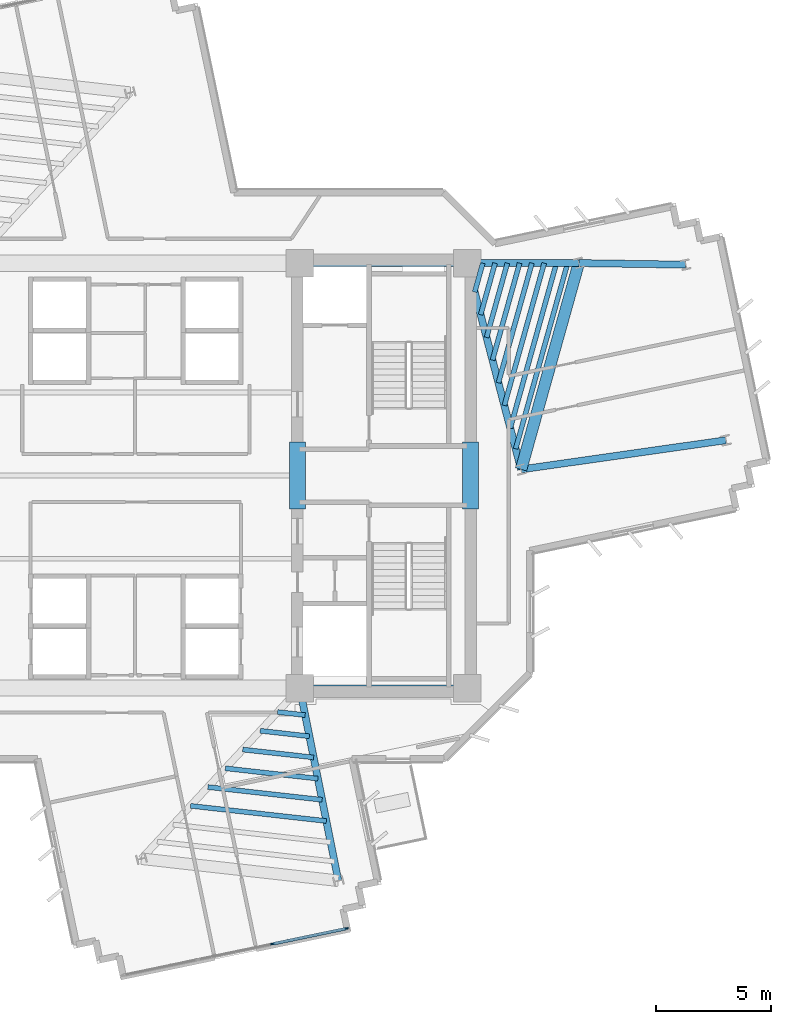
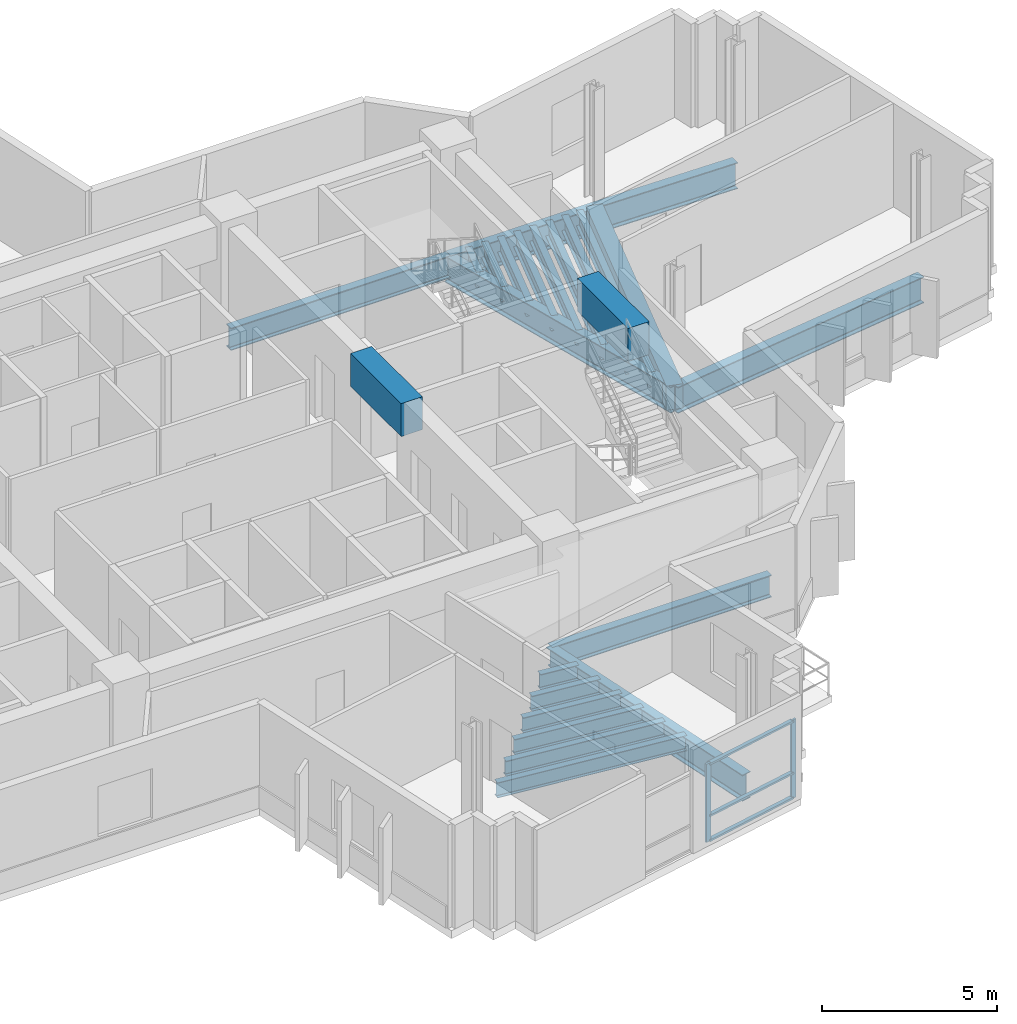
# One storey, part 4 of 14: 24 beams, 5 members, 1 element without a shape of its own.
"""IFC4 building model written with IfcOpenShell, lengths in metres."""

from ifc_helpers import new_model, si_unit, direction, frame, origin, origin_2d, place, context, subcontext, project, spatial, rectangle, i_section, extrude, source, transform, mapped, material, layer, layer_set, material_profile, profile_set, type_object, element, aggregate, save


model = new_model("IFC4")

# Units and contexts
model_context = context("Model", 3, precision=1e-05, world=origin(), true_north=direction((0.0, 1.0)))
body_context = subcontext(model_context, "Body", "Model", "MODEL_VIEW")
ifc_project = project(units=[si_unit("LENGTHUNIT", "METRE"), si_unit("AREAUNIT", "SQUARE_METRE"), si_unit("VOLUMEUNIT", "CUBIC_METRE"), si_unit("PLANEANGLEUNIT", "RADIAN"), si_unit("MASSUNIT", "GRAM", prefix="KILO")], contexts=[model_context])

# Site, building, storey
site_placement = place(None, origin())
site = spatial("IfcSite", under=ifc_project, at=site_placement, CompositionType="ELEMENT")
building_placement = place(site_placement, origin())
building = spatial("IfcBuilding", under=site, at=building_placement, Name="Zahravan Cultural Tower", CompositionType="ELEMENT")
storey_placement = place(building_placement, frame((0.0, 0.0, 162.89990234375)))
storey = spatial("IfcBuildingStorey", under=building, at=storey_placement, Name="L37", CompositionType="ELEMENT", Elevation=162.89990234375)

# Beams
ifc_material_1 = material(Name="Concrete C50/60", Category="concrete")
ifc_material_profile_1 = material_profile(ifc_material_1, rectangle(XDim=0.699951171875, YDim=1.14990234375, at=origin_2d()), Name="RC700X1150")
ifc_profile_set_1 = profile_set([ifc_material_profile_1], Name="Concrete C50/60")
beam_type_1 = type_object("IfcBeamType", Name="BM-LN-RC700X1150", PredefinedType="LINTEL", material=ifc_profile_set_1)
shared_shape_1 = source(origin(), body_context, "Body", "SweptSolid", [
    extrude(rectangle(XDim=0.699951171875, YDim=1.14990234375, at=origin_2d()), origin(), (0.0, 0.0, 1.0), 2.89990234375),
])
for number, where, z_axis, x_axis, name in (
    (1, (43.0, 25.550048828125, 3.045166015625), (0.0, 1.0, 0.0), (-1.0, 0.0, 0.0), "L37 Beam LN-L37-PEW"),
    (2, (50.5, 25.550048828125, 3.045166015625), (0.0, 1.0, 0.0), (-1.0, 0.0, 0.0), "L37 Beam LN-L37-PEE"),
):
    element("IfcBeam", number, at=place(storey_placement, frame(where, z_axis=z_axis, x_axis=x_axis)), inside=storey, type_object=beam_type_1, Name=name, PredefinedType="LINTEL", context=body_context, shape_type="MappedRepresentation", body=[
        mapped(shared_shape_1, transform((0.0, 0.0, 0.0), x_axis=(1.0, 0.0, 0.0), y_axis=(0.0, 1.0, 0.0), z_axis=(0.0, 0.0, 1.0), scale=1.0)),
    ])
ifc_material_2 = material(Name="Steel ASTM A992 Grade 50", Category="steel")
ifc_material_profile_2 = material_profile(ifc_material_2, i_section(OverallWidth=0.26611328125, OverallDepth=0.780029296875, WebThickness=0.0166015625, FlangeThickness=0.030029296875, FilletRadius=0.01904296875, at=origin_2d()), Name="W30X148")
ifc_profile_set_2 = profile_set([ifc_material_profile_2], Name="Steel ASTM A992 Grade 50")
beam_type_2 = type_object("IfcBeamType", Name="BM-G-W30X148", PredefinedType="BEAM", material=ifc_profile_set_2)
shared_shape_2 = source(origin(), body_context, "Body", "SweptSolid", [
    extrude(i_section(OverallWidth=0.26611328125, OverallDepth=0.780029296875, WebThickness=0.0166015625, FlangeThickness=0.030029296875, FilletRadius=0.01904296875, at=origin_2d()), origin(), (0.0, 0.0, 1.0), 7.25),
])
for number, where, z_axis, x_axis, name in (
    (3, (43.10009765625, 17.800048828125, -0.669921875), (1.0, 0.0, 0.0), (0.0, 1.0, 0.0), "L37 Beam BG-L37-04"),
    (4, (43.10009765625, 36.199951171875, -0.669921875), (1.0, 0.0, 0.0), (0.0, 1.0, 0.0), "L37 Beam BG-L37-05"),
):
    element("IfcBeam", number, at=place(storey_placement, frame(where, z_axis=z_axis, x_axis=x_axis)), inside=storey, type_object=beam_type_2, Name=name, PredefinedType="BEAM", context=body_context, shape_type="MappedRepresentation", body=[
        mapped(shared_shape_2, transform((0.0, 0.0, 0.0), x_axis=(1.0, 0.0, 0.0), y_axis=(0.0, 1.0, 0.0), z_axis=(0.0, 0.0, 1.0), scale=1.0)),
    ])
ifc_material_profile_3 = material_profile(ifc_material_2, i_section(OverallWidth=0.304931640625, OverallDepth=0.9189453125, WebThickness=0.017333984375, FlangeThickness=0.02783203125, FilletRadius=0.02392578125, at=origin_2d()), Name="W36X170")
ifc_profile_set_3 = profile_set([ifc_material_profile_3], Name="Steel ASTM A992 Grade 50")
beam_type_3 = type_object("IfcBeamType", Name="BM-G-W36X170", PredefinedType="BEAM", material=ifc_profile_set_3)
shared_shape_3 = source(origin(), body_context, "Body", "SweptSolid", [
    extrude(i_section(OverallWidth=0.304931640625, OverallDepth=0.9189453125, WebThickness=0.017333984375, FlangeThickness=0.02783203125, FilletRadius=0.02392578125, at=origin_2d()), origin(), (0.0, 0.0, 1.0), 9.22900390625),
])
beam_1_placement = place(storey_placement, frame((50.35009765625, 36.199951171875, -0.739501953125), z_axis=(0.252922608408, -0.967486513682, 0.0), x_axis=(0.967486513682, 0.252922608408, 0.0)))
element("IfcBeam", 5, at=beam_1_placement, inside=storey, type_object=beam_type_3, Name="L37 Beam BG-L37-11", PredefinedType="BEAM", context=body_context, shape_type="MappedRepresentation", body=[
    mapped(shared_shape_3, transform((0.0, 0.0, 0.0), x_axis=(1.0, 0.0, 0.0), y_axis=(0.0, 1.0, 0.0), z_axis=(0.0, 0.0, 1.0), scale=1.0)),
])
shared_shape_4 = source(origin(), body_context, "Body", "SweptSolid", [
    extrude(i_section(OverallWidth=0.304931640625, OverallDepth=0.9189453125, WebThickness=0.017333984375, FlangeThickness=0.02783203125, FilletRadius=0.02392578125, at=origin_2d()), origin(), (0.0, 0.0, 1.0), 4.834716796875),
])
beam_2_placement = place(storey_placement, frame((50.35009765625, 36.199951171875, -0.739501953125), z_axis=(0.99999920313, 0.001262433979, 0.0), x_axis=(-0.001262433979, 0.99999920313, 0.0)))
element("IfcBeam", 6, at=beam_2_placement, inside=storey, type_object=beam_type_3, Name="L37 Beam BG-L37-12", PredefinedType="BEAM", context=body_context, shape_type="MappedRepresentation", body=[
    mapped(shared_shape_4, transform((0.0, 0.0, 0.0), x_axis=(1.0, 0.0, 0.0), y_axis=(0.0, 1.0, 0.0), z_axis=(0.0, 0.0, 1.0), scale=1.0)),
])
shared_shape_5 = source(origin(), body_context, "Body", "SweptSolid", [
    extrude(i_section(OverallWidth=0.304931640625, OverallDepth=0.9189453125, WebThickness=0.017333984375, FlangeThickness=0.02783203125, FilletRadius=0.02392578125, at=origin_2d()), origin(), (0.0, 0.0, 1.0), 8.50732421875),
])
beam_3_placement = place(storey_placement, frame((43.10009765625, 17.800048828125, -0.739501953125), z_axis=(0.196524514012, -0.980498911469, 0.0), x_axis=(0.980498911469, 0.196524514012, 0.0)))
element("IfcBeam", 7, at=beam_3_placement, inside=storey, type_object=beam_type_3, Name="L37 Beam BG-L37-10", PredefinedType="BEAM", context=body_context, shape_type="MappedRepresentation", body=[
    mapped(shared_shape_5, transform((0.0, 0.0, 0.0), x_axis=(1.0, 0.0, 0.0), y_axis=(0.0, 1.0, 0.0), z_axis=(0.0, 0.0, 1.0), scale=1.0)),
])
shared_shape_6 = source(origin(), body_context, "Body", "SweptSolid", [
    extrude(i_section(OverallWidth=0.304931640625, OverallDepth=0.9189453125, WebThickness=0.017333984375, FlangeThickness=0.02783203125, FilletRadius=0.02392578125, at=origin_2d()), origin(), (0.0, 0.0, 1.0), 8.9580078125),
])
beam_4_placement = place(storey_placement, frame((52.684326171875, 27.27099609375, -0.739501953125), z_axis=(0.990000122431, 0.141066500584, 0.0), x_axis=(-0.141066500584, 0.990000122431, 0.0)))
element("IfcBeam", 8, at=beam_4_placement, inside=storey, type_object=beam_type_3, Name="L37 Beam BG-L37-15", PredefinedType="BEAM", context=body_context, shape_type="MappedRepresentation", body=[
    mapped(shared_shape_6, transform((0.0, 0.0, 0.0), x_axis=(1.0, 0.0, 0.0), y_axis=(0.0, 1.0, 0.0), z_axis=(0.0, 0.0, 1.0), scale=1.0)),
])
shared_shape_7 = source(origin(), body_context, "Body", "SweptSolid", [
    extrude(i_section(OverallWidth=0.304931640625, OverallDepth=0.9189453125, WebThickness=0.017333984375, FlangeThickness=0.02783203125, FilletRadius=0.02392578125, at=origin_2d()), origin(), (0.0, 0.0, 1.0), 4.622314453125),
])
beam_5_placement = place(storey_placement, frame((55.184814453125, 36.2060546875, -0.739501953125), z_axis=(0.999889070044, -0.014894549562, 0.0), x_axis=(0.014894549562, 0.999889070044, 0.0)))
element("IfcBeam", 9, at=beam_5_placement, inside=storey, type_object=beam_type_3, Name="L37 Beam BG-L37-16", PredefinedType="BEAM", context=body_context, shape_type="MappedRepresentation", body=[
    mapped(shared_shape_7, transform((0.0, 0.0, 0.0), x_axis=(1.0, 0.0, 0.0), y_axis=(0.0, 1.0, 0.0), z_axis=(0.0, 0.0, 1.0), scale=1.0)),
])
ifc_material_profile_4 = material_profile(ifc_material_1, rectangle(XDim=0.5, YDim=0.85009765625, at=origin_2d()), Name="RC500X850")
ifc_profile_set_4 = profile_set([ifc_material_profile_4], Name="Concrete C50/60")
beam_type_4 = type_object("IfcBeamType", Name="BM-SP-RC500X850", PredefinedType="SPANDREL", material=ifc_profile_set_4)
shared_shape_8 = source(origin(), body_context, "Body", "SweptSolid", [
    extrude(rectangle(XDim=0.5, YDim=0.85009765625, at=origin_2d()), origin(), (0.0, 0.0, 1.0), 9.2783203125),
])
beam_6_placement = place(storey_placement, frame((52.684326171875, 27.27099609375, -0.704833984375), z_axis=(0.269497187032, 0.963001176625, 0.0), x_axis=(-0.963001176625, 0.269497187032, 0.0)))
element("IfcBeam", 10, at=beam_6_placement, inside=storey, type_object=beam_type_4, Name="L37 Beam SP-L37-21", PredefinedType="SPANDREL", context=body_context, shape_type="MappedRepresentation", body=[
    mapped(shared_shape_8, transform((0.0, 0.0, 0.0), x_axis=(1.0, 0.0, 0.0), y_axis=(0.0, 1.0, 0.0), z_axis=(0.0, 0.0, 1.0), scale=1.0)),
])
ifc_material_profile_5 = material_profile(ifc_material_2, i_section(OverallWidth=0.2099609375, OverallDepth=0.532958984375, WebThickness=0.01025390625, FlangeThickness=0.015625, FilletRadius=0.013916015625, at=origin_2d()), Name="W21X62")
ifc_profile_set_5 = profile_set([ifc_material_profile_5], Name="Steel ASTM A992 Grade 50")
beam_type_5 = type_object("IfcBeamType", Name="BM-J-W21X62", PredefinedType="JOIST", material=ifc_profile_set_5)
shared_shape_9 = source(origin(), body_context, "Body", "SweptSolid", [
    extrude(i_section(OverallWidth=0.2099609375, OverallDepth=0.532958984375, WebThickness=0.01025390625, FlangeThickness=0.015625, FilletRadius=0.013916015625, at=origin_2d()), origin(), (0.0, 0.0, 1.0), 1.299072265625),
])
beam_7_placement = place(storey_placement, frame((50.6767578125, 34.949951171875, -0.54638671875), z_axis=(0.269504444708, 0.962999145525, 0.0), x_axis=(-0.962999145525, 0.269504444708, 0.0)))
element("IfcBeam", 11, at=beam_7_placement, inside=storey, type_object=beam_type_5, Name="L37 Beam BJ-L37-42", PredefinedType="JOIST", context=body_context, shape_type="MappedRepresentation", body=[
    mapped(shared_shape_9, transform((0.0, 0.0, 0.0), x_axis=(1.0, 0.0, 0.0), y_axis=(0.0, 1.0, 0.0), z_axis=(0.0, 0.0, 1.0), scale=1.0)),
])
shared_shape_10 = source(origin(), body_context, "Body", "SweptSolid", [
    extrude(i_section(OverallWidth=0.2099609375, OverallDepth=0.532958984375, WebThickness=0.01025390625, FlangeThickness=0.015625, FilletRadius=0.013916015625, at=origin_2d()), origin(), (0.0, 0.0, 1.0), 2.3193359375),
])
beam_8_placement = place(storey_placement, frame((50.93359375, 33.9677734375, -0.54638671875), z_axis=(0.269462038626, 0.963011012263, 0.0), x_axis=(-0.963011012263, 0.269462038626, 0.0)))
element("IfcBeam", 12, at=beam_8_placement, inside=storey, type_object=beam_type_5, Name="L37 Beam BJ-L37-43", PredefinedType="JOIST", context=body_context, shape_type="MappedRepresentation", body=[
    mapped(shared_shape_10, transform((0.0, 0.0, 0.0), x_axis=(1.0, 0.0, 0.0), y_axis=(0.0, 1.0, 0.0), z_axis=(0.0, 0.0, 1.0), scale=1.0)),
])
shared_shape_11 = source(origin(), body_context, "Body", "SweptSolid", [
    extrude(i_section(OverallWidth=0.2099609375, OverallDepth=0.532958984375, WebThickness=0.01025390625, FlangeThickness=0.015625, FilletRadius=0.013916015625, at=origin_2d()), origin(), (0.0, 0.0, 1.0), 3.340087890625),
])
beam_9_placement = place(storey_placement, frame((51.190185546875, 32.985595703125, -0.54638671875), z_axis=(0.269562146951, 0.962982995141, 0.0), x_axis=(-0.962982995141, 0.269562146951, 0.0)))
element("IfcBeam", 13, at=beam_9_placement, inside=storey, type_object=beam_type_5, Name="L37 Beam BJ-L37-44", PredefinedType="JOIST", context=body_context, shape_type="MappedRepresentation", body=[
    mapped(shared_shape_11, transform((0.0, 0.0, 0.0), x_axis=(1.0, 0.0, 0.0), y_axis=(0.0, 1.0, 0.0), z_axis=(0.0, 0.0, 1.0), scale=1.0)),
])
shared_shape_12 = source(origin(), body_context, "Body", "SweptSolid", [
    extrude(i_section(OverallWidth=0.2099609375, OverallDepth=0.532958984375, WebThickness=0.01025390625, FlangeThickness=0.015625, FilletRadius=0.013916015625, at=origin_2d()), origin(), (0.0, 0.0, 1.0), 4.36083984375),
])
beam_10_placement = place(storey_placement, frame((51.447021484375, 32.00341796875, -0.54638671875), z_axis=(0.269511557673, 0.962997154866, 0.0), x_axis=(-0.962997154866, 0.269511557673, 0.0)))
element("IfcBeam", 14, at=beam_10_placement, inside=storey, type_object=beam_type_5, Name="L37 Beam BJ-L37-45", PredefinedType="JOIST", context=body_context, shape_type="MappedRepresentation", body=[
    mapped(shared_shape_12, transform((0.0, 0.0, 0.0), x_axis=(1.0, 0.0, 0.0), y_axis=(0.0, 1.0, 0.0), z_axis=(0.0, 0.0, 1.0), scale=1.0)),
])
shared_shape_13 = source(origin(), body_context, "Body", "SweptSolid", [
    extrude(i_section(OverallWidth=0.2099609375, OverallDepth=0.532958984375, WebThickness=0.01025390625, FlangeThickness=0.015625, FilletRadius=0.013916015625, at=origin_2d()), origin(), (0.0, 0.0, 1.0), 5.3818359375),
])
beam_11_placement = place(storey_placement, frame((51.703857421875, 31.02099609375, -0.54638671875), z_axis=(0.269510454638, 0.962997463569, 0.0), x_axis=(-0.962997463569, 0.269510454638, 0.0)))
element("IfcBeam", 15, at=beam_11_placement, inside=storey, type_object=beam_type_5, Name="L37 Beam BJ-L37-46", PredefinedType="JOIST", context=body_context, shape_type="MappedRepresentation", body=[
    mapped(shared_shape_13, transform((0.0, 0.0, 0.0), x_axis=(1.0, 0.0, 0.0), y_axis=(0.0, 1.0, 0.0), z_axis=(0.0, 0.0, 1.0), scale=1.0)),
])
shared_shape_14 = source(origin(), body_context, "Body", "SweptSolid", [
    extrude(i_section(OverallWidth=0.2099609375, OverallDepth=0.532958984375, WebThickness=0.01025390625, FlangeThickness=0.015625, FilletRadius=0.013916015625, at=origin_2d()), origin(), (0.0, 0.0, 1.0), 6.402099609375),
])
beam_12_placement = place(storey_placement, frame((51.960693359375, 30.038818359375, -0.54638671875), z_axis=(0.269494133533, 0.963002031146, 0.0), x_axis=(-0.963002031146, 0.269494133533, 0.0)))
element("IfcBeam", 16, at=beam_12_placement, inside=storey, type_object=beam_type_5, Name="L37 Beam BJ-L37-47", PredefinedType="JOIST", context=body_context, shape_type="MappedRepresentation", body=[
    mapped(shared_shape_14, transform((0.0, 0.0, 0.0), x_axis=(1.0, 0.0, 0.0), y_axis=(0.0, 1.0, 0.0), z_axis=(0.0, 0.0, 1.0), scale=1.0)),
])
shared_shape_15 = source(origin(), body_context, "Body", "SweptSolid", [
    extrude(i_section(OverallWidth=0.2099609375, OverallDepth=0.532958984375, WebThickness=0.01025390625, FlangeThickness=0.015625, FilletRadius=0.013916015625, at=origin_2d()), origin(), (0.0, 0.0, 1.0), 7.4228515625),
])
beam_13_placement = place(storey_placement, frame((52.21728515625, 29.056640625, -0.54638671875), z_axis=(0.269504266128, 0.962999195503, 0.0), x_axis=(-0.962999195503, 0.269504266128, 0.0)))
element("IfcBeam", 17, at=beam_13_placement, inside=storey, type_object=beam_type_5, Name="L37 Beam BJ-L37-48", PredefinedType="JOIST", context=body_context, shape_type="MappedRepresentation", body=[
    mapped(shared_shape_15, transform((0.0, 0.0, 0.0), x_axis=(1.0, 0.0, 0.0), y_axis=(0.0, 1.0, 0.0), z_axis=(0.0, 0.0, 1.0), scale=1.0)),
])
shared_shape_16 = source(origin(), body_context, "Body", "SweptSolid", [
    extrude(i_section(OverallWidth=0.2099609375, OverallDepth=0.532958984375, WebThickness=0.01025390625, FlangeThickness=0.015625, FilletRadius=0.013916015625, at=origin_2d()), origin(), (0.0, 0.0, 1.0), 8.350830078125),
])
beam_14_placement = place(storey_placement, frame((52.450927734375, 28.163818359375, -0.54638671875), z_axis=(0.269496539555, 0.963001357822, 0.0), x_axis=(-0.963001357822, 0.269496539555, 0.0)))
element("IfcBeam", 18, at=beam_14_placement, inside=storey, type_object=beam_type_5, Name="L37 Beam BJ-L37-49", PredefinedType="JOIST", context=body_context, shape_type="MappedRepresentation", body=[
    mapped(shared_shape_16, transform((0.0, 0.0, 0.0), x_axis=(1.0, 0.0, 0.0), y_axis=(0.0, 1.0, 0.0), z_axis=(0.0, 0.0, 1.0), scale=1.0)),
])
shared_shape_17 = source(origin(), body_context, "Body", "SweptSolid", [
    extrude(i_section(OverallWidth=0.2099609375, OverallDepth=0.532958984375, WebThickness=0.01025390625, FlangeThickness=0.015625, FilletRadius=0.013916015625, at=origin_2d()), origin(), (0.0, 0.0, 1.0), 1.201171875),
])
beam_15_placement = place(storey_placement, frame((42.140380859375, 16.765625, -0.54638671875), z_axis=(0.99379916149, -0.111190047317, 0.0), x_axis=(0.111190047317, 0.99379916149, 0.0)))
element("IfcBeam", 19, at=beam_15_placement, inside=storey, type_object=beam_type_5, Name="L37 Beam BJ-L37-34", PredefinedType="JOIST", context=body_context, shape_type="MappedRepresentation", body=[
    mapped(shared_shape_17, transform((0.0, 0.0, 0.0), x_axis=(1.0, 0.0, 0.0), y_axis=(0.0, 1.0, 0.0), z_axis=(0.0, 0.0, 1.0), scale=1.0)),
])
shared_shape_18 = source(origin(), body_context, "Body", "SweptSolid", [
    extrude(i_section(OverallWidth=0.2099609375, OverallDepth=0.532958984375, WebThickness=0.01025390625, FlangeThickness=0.015625, FilletRadius=0.013916015625, at=origin_2d()), origin(), (0.0, 0.0, 1.0), 2.144775390625),
])
beam_16_placement = place(storey_placement, frame((41.386474609375, 15.953125, -0.54638671875), z_axis=(0.993797370806, -0.111206051, 0.0), x_axis=(0.111206051, 0.993797370806, 0.0)))
element("IfcBeam", 20, at=beam_16_placement, inside=storey, type_object=beam_type_5, Name="L37 Beam BJ-L37-35", PredefinedType="JOIST", context=body_context, shape_type="MappedRepresentation", body=[
    mapped(shared_shape_18, transform((0.0, 0.0, 0.0), x_axis=(1.0, 0.0, 0.0), y_axis=(0.0, 1.0, 0.0), z_axis=(0.0, 0.0, 1.0), scale=1.0)),
])
shared_shape_19 = source(origin(), body_context, "Body", "SweptSolid", [
    extrude(i_section(OverallWidth=0.2099609375, OverallDepth=0.532958984375, WebThickness=0.01025390625, FlangeThickness=0.015625, FilletRadius=0.013916015625, at=origin_2d()), origin(), (0.0, 0.0, 1.0), 3.088623046875),
])
beam_17_placement = place(storey_placement, frame((40.63232421875, 15.140380859375, -0.54638671875), z_axis=(0.993805407368, -0.111134208443, 0.0), x_axis=(0.111134208443, 0.993805407368, 0.0)))
element("IfcBeam", 21, at=beam_17_placement, inside=storey, type_object=beam_type_5, Name="L37 Beam BJ-L37-36", PredefinedType="JOIST", context=body_context, shape_type="MappedRepresentation", body=[
    mapped(shared_shape_19, transform((0.0, 0.0, 0.0), x_axis=(1.0, 0.0, 0.0), y_axis=(0.0, 1.0, 0.0), z_axis=(0.0, 0.0, 1.0), scale=1.0)),
])
shared_shape_20 = source(origin(), body_context, "Body", "SweptSolid", [
    extrude(i_section(OverallWidth=0.2099609375, OverallDepth=0.532958984375, WebThickness=0.01025390625, FlangeThickness=0.015625, FilletRadius=0.013916015625, at=origin_2d()), origin(), (0.0, 0.0, 1.0), 4.0322265625),
])
beam_18_placement = place(storey_placement, frame((39.87841796875, 14.327880859375, -0.54638671875), z_axis=(0.993802245601, -0.11116247855, 0.0), x_axis=(0.11116247855, 0.993802245601, 0.0)))
element("IfcBeam", 22, at=beam_18_placement, inside=storey, type_object=beam_type_5, Name="L37 Beam BJ-L37-37", PredefinedType="JOIST", context=body_context, shape_type="MappedRepresentation", body=[
    mapped(shared_shape_20, transform((0.0, 0.0, 0.0), x_axis=(1.0, 0.0, 0.0), y_axis=(0.0, 1.0, 0.0), z_axis=(0.0, 0.0, 1.0), scale=1.0)),
])
shared_shape_21 = source(origin(), body_context, "Body", "SweptSolid", [
    extrude(i_section(OverallWidth=0.2099609375, OverallDepth=0.532958984375, WebThickness=0.01025390625, FlangeThickness=0.015625, FilletRadius=0.013916015625, at=origin_2d()), origin(), (0.0, 0.0, 1.0), 4.97607421875),
])
beam_19_placement = place(storey_placement, frame((39.124267578125, 13.51513671875, -0.54638671875), z_axis=(0.993806308517, -0.111126149723, 0.0), x_axis=(0.111126149723, 0.993806308517, 0.0)))
element("IfcBeam", 23, at=beam_19_placement, inside=storey, type_object=beam_type_5, Name="L37 Beam BJ-L37-38", PredefinedType="JOIST", context=body_context, shape_type="MappedRepresentation", body=[
    mapped(shared_shape_21, transform((0.0, 0.0, 0.0), x_axis=(1.0, 0.0, 0.0), y_axis=(0.0, 1.0, 0.0), z_axis=(0.0, 0.0, 1.0), scale=1.0)),
])
shared_shape_22 = source(origin(), body_context, "Body", "SweptSolid", [
    extrude(i_section(OverallWidth=0.2099609375, OverallDepth=0.532958984375, WebThickness=0.01025390625, FlangeThickness=0.015625, FilletRadius=0.013916015625, at=origin_2d()), origin(), (0.0, 0.0, 1.0), 5.919921875),
])
beam_20_placement = place(storey_placement, frame((38.370361328125, 12.70263671875, -0.54638671875), z_axis=(0.993804520866, -0.111142135602, 0.0), x_axis=(0.111142135602, 0.993804520866, 0.0)))
element("IfcBeam", 24, at=beam_20_placement, inside=storey, type_object=beam_type_5, Name="L37 Beam BJ-L37-39", PredefinedType="JOIST", context=body_context, shape_type="MappedRepresentation", body=[
    mapped(shared_shape_22, transform((0.0, 0.0, 0.0), x_axis=(1.0, 0.0, 0.0), y_axis=(0.0, 1.0, 0.0), z_axis=(0.0, 0.0, 1.0), scale=1.0)),
])

# Curtain wall, members
ifc_material_3 = material(Name="Anodised bronze-aluminium mullion", Category="aluminium")
ifc_layer = layer(ifc_material_3, 0.1650390625)
ifc_layer_set = layer_set([ifc_layer], Name="Anodised bronze-aluminium mullion")
curtain_wall_type = type_object("IfcCurtainWallType", Name="CW-SYS-4", PredefinedType="USERDEFINED", material=ifc_layer_set)
curtain_wall_placement = place(storey_placement, origin())
curtain_wall = element("IfcCurtainWall", 25, at=curtain_wall_placement, inside=storey, type_object=curtain_wall_type, Name="L37 Recessed Curtain Wall CW-4.1", ObjectType="RECESSED GLAZING", PredefinedType="USERDEFINED")
ifc_material_profile_6 = material_profile(ifc_material_3, rectangle(XDim=0.06494140625, YDim=0.1650390625, at=origin_2d()), Name="AL-M65X165")
ifc_profile_set_6 = profile_set([ifc_material_profile_6], Name="Anodised bronze-aluminium mullion")
member_type_1 = type_object("IfcMemberType", Name="CWM-CW-4", PredefinedType="MULLION", material=ifc_profile_set_6)
shared_shape_23 = source(origin(), body_context, "Body", "SweptSolid", [
    extrude(rectangle(XDim=0.06494140625, YDim=0.1650390625, at=origin_2d()), origin(), (0.0, 0.0, 1.0), 2.739990234375),
])
member_1_placement = place(storey_placement, frame((45.123291015625, 7.3896484375, 0.0), z_axis=(0.0, 0.0, 1.0), x_axis=(0.204162369415, -0.978937039301, 0.0)))
member_1 = element("IfcMember", 26, at=member_1_placement, type_object=member_type_1, Name="CW-4 mullion 1", PredefinedType="MULLION", context=body_context, shape_type="MappedRepresentation", body=[
    mapped(shared_shape_23, transform((0.0, 0.0, 0.0), x_axis=(1.0, 0.0, 0.0), y_axis=(0.0, 1.0, 0.0), z_axis=(0.0, 0.0, 1.0), scale=1.0)),
])
member_2_placement = place(storey_placement, frame((41.91796875, 6.72119140625, 0.0), z_axis=(0.0, 0.0, 1.0), x_axis=(0.204162369415, -0.978937039301, 0.0)))
member_2 = element("IfcMember", 27, at=member_2_placement, type_object=member_type_1, Name="CW-4 mullion 2", PredefinedType="MULLION", context=body_context, shape_type="MappedRepresentation", body=[
    mapped(shared_shape_23, transform((0.0, 0.0, 0.0), x_axis=(1.0, 0.0, 0.0), y_axis=(0.0, 1.0, 0.0), z_axis=(0.0, 0.0, 1.0), scale=1.0)),
])
ifc_material_profile_7 = material_profile(ifc_material_3, rectangle(XDim=0.1298828125, YDim=0.06494140625, at=origin_2d()), Name="AL-T65X130")
ifc_profile_set_7 = profile_set([ifc_material_profile_7], Name="Anodised bronze-aluminium mullion")
member_type_2 = type_object("IfcMemberType", Name="CWT-CW-4", PredefinedType="USERDEFINED", material=ifc_profile_set_7)
shared_shape_24 = source(origin(), body_context, "Body", "SweptSolid", [
    extrude(rectangle(XDim=0.1298828125, YDim=0.06494140625, at=origin_2d()), origin(), (0.0, 0.0, 1.0), 3.209228515625),
])
member_3_placement = place(storey_placement, frame((45.091552734375, 7.3828125, 0.03271484375), z_axis=(-0.978947495526, -0.204112226492, 0.0), x_axis=(0.204112226492, -0.978947495526, 0.0)))
member_3 = element("IfcMember", 28, at=member_3_placement, type_object=member_type_2, Name="CW-4 transom 1.1", ObjectType="TRANSOM", PredefinedType="USERDEFINED", context=body_context, shape_type="MappedRepresentation", body=[
    mapped(shared_shape_24, transform((0.0, 0.0, 0.0), x_axis=(1.0, 0.0, 0.0), y_axis=(0.0, 1.0, 0.0), z_axis=(0.0, 0.0, 1.0), scale=1.0)),
])
member_4_placement = place(storey_placement, frame((45.091552734375, 7.3828125, 0.900146484375), z_axis=(-0.978947495526, -0.204112226492, 0.0), x_axis=(0.204112226492, -0.978947495526, 0.0)))
member_4 = element("IfcMember", 29, at=member_4_placement, type_object=member_type_2, Name="CW-4 transom 1.2", ObjectType="TRANSOM", PredefinedType="USERDEFINED", context=body_context, shape_type="MappedRepresentation", body=[
    mapped(shared_shape_24, transform((0.0, 0.0, 0.0), x_axis=(1.0, 0.0, 0.0), y_axis=(0.0, 1.0, 0.0), z_axis=(0.0, 0.0, 1.0), scale=1.0)),
])
member_5_placement = place(storey_placement, frame((45.091552734375, 7.3828125, 2.70751953125), z_axis=(-0.978947495526, -0.204112226492, 0.0), x_axis=(0.204112226492, -0.978947495526, 0.0)))
member_5 = element("IfcMember", 30, at=member_5_placement, type_object=member_type_2, Name="CW-4 transom 1.3", ObjectType="TRANSOM", PredefinedType="USERDEFINED", context=body_context, shape_type="MappedRepresentation", body=[
    mapped(shared_shape_24, transform((0.0, 0.0, 0.0), x_axis=(1.0, 0.0, 0.0), y_axis=(0.0, 1.0, 0.0), z_axis=(0.0, 0.0, 1.0), scale=1.0)),
])
aggregate(curtain_wall, [member_1, member_2, member_3, member_4, member_5])

save(model, "model.ifc")
